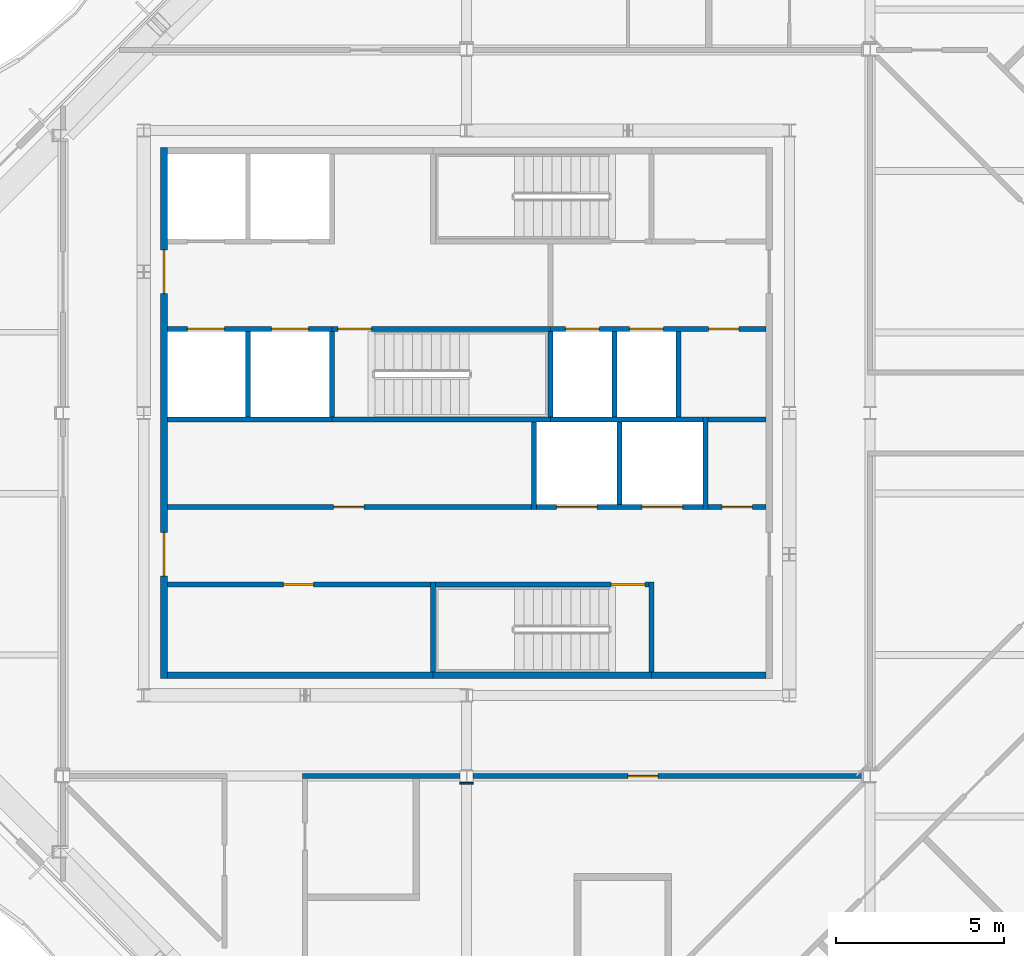
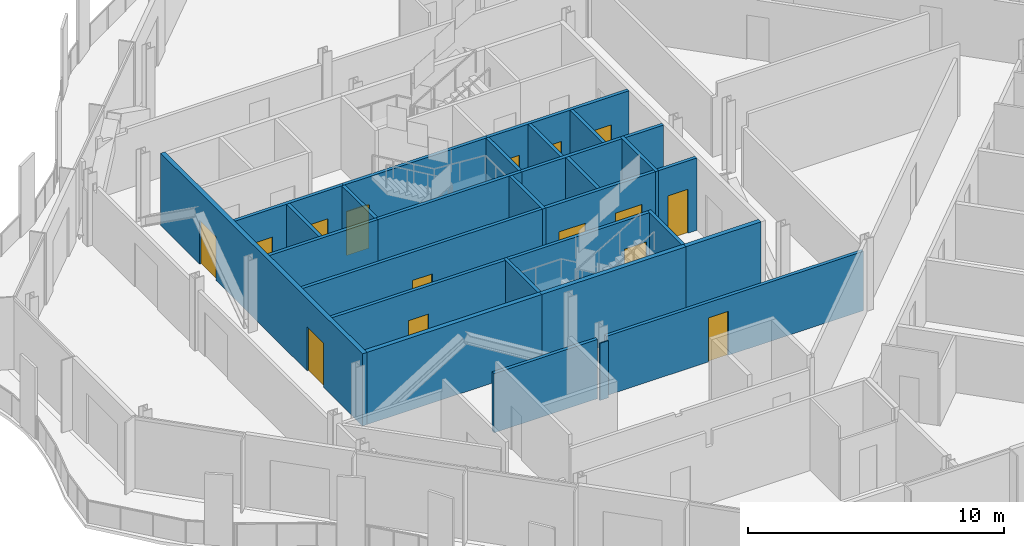
# One storey, part 8 of 17: 29 walls, 15 doors, 15 openings.
"""IFC4 building model written with IfcOpenShell, lengths in metres."""

from ifc_helpers import new_model, si_unit, direction, frame, frame_2d, origin, place, context, subcontext, project, spatial, rectangle, extrude, material, layer, layer_set, type_object, element, fill, save


model = new_model("IFC4")

# Units and contexts
model_context = context("Model", 3, precision=1e-05, world=origin(), true_north=direction((0.0, 1.0)))
body_context = subcontext(model_context, "Body", "Model", "MODEL_VIEW")
ifc_project = project(units=[si_unit("LENGTHUNIT", "METRE"), si_unit("AREAUNIT", "SQUARE_METRE"), si_unit("VOLUMEUNIT", "CUBIC_METRE"), si_unit("PLANEANGLEUNIT", "RADIAN"), si_unit("MASSUNIT", "GRAM", prefix="KILO")], contexts=[model_context])

# Site, building, storey
site_placement = place(None, origin())
site = spatial("IfcSite", under=ifc_project, at=site_placement, CompositionType="ELEMENT")
building_placement = place(site_placement, origin())
building = spatial("IfcBuilding", under=site, at=building_placement, Name="Cairn Pilgrim Tower", CompositionType="ELEMENT")
storey_placement = place(building_placement, frame((0.0, 0.0, 281.39990234375)))
storey = spatial("IfcBuildingStorey", under=building, at=storey_placement, Name="L72", CompositionType="ELEMENT", Elevation=281.39990234375)

# Walls
ifc_material_1 = material(Name="Concrete C32/40", Category="concrete")
ifc_layer_1 = layer(ifc_material_1, 0.199951171875)
ifc_layer_set_1 = layer_set([ifc_layer_1], Name="CORE OUTER WALL 200 EI 120")
wall_type_1 = type_object("IfcWallType", Name="CORE OUTER WALL 200 EI 120", PredefinedType="SOLIDWALL", material=ifc_layer_set_1)
wall_1_placement = place(storey_placement, frame((-1.699951171875, -5.39990234375, 0.0), z_axis=(0.0, 0.0, 1.0), x_axis=(1.0, 0.0, 0.0)))
element("IfcWall", 1, at=wall_1_placement, inside=storey, type_object=wall_type_1, Name="CW:L72:H01-1", PredefinedType="SOLIDWALL", context=body_context, shape_type="SweptSolid", body=[
    extrude(rectangle(XDim=7.89990234375, YDim=0.199951171875, at=frame_2d((3.949951171875, 0.0))), origin(), (0.0, 0.0, 1.0), 3.4501953125),
])
wall_2_placement = place(storey_placement, frame((12.699951171875, -5.39990234375, 0.0), z_axis=(0.0, 0.0, 1.0), x_axis=(1.0, 0.0, 0.0)))
element("IfcWall", 2, at=wall_2_placement, inside=storey, type_object=wall_type_1, Name="CW:L72:H01-3", PredefinedType="SOLIDWALL", context=body_context, shape_type="SweptSolid", body=[
    extrude(rectangle(XDim=3.400146484375, YDim=0.199951171875, at=frame_2d((1.7001953125, 0.0))), origin(), (0.0, 0.0, 1.0), 3.4501953125),
])

# Wall, openings, doors
wall_3_placement = place(storey_placement, frame((-1.800048828125, -5.5, 0.0), z_axis=(0.0, 0.0, 1.0), x_axis=(0.0, 1.0, 0.0)))
wall_3 = element("IfcWall", 3, at=wall_3_placement, inside=storey, type_object=wall_type_1, Name="CW:L72:V13", PredefinedType="SOLIDWALL", context=body_context, shape_type="SweptSolid", body=[
    extrude(rectangle(XDim=15.800048828125, YDim=0.199951171875, at=frame_2d((7.89990234375, 0.0))), origin(), (0.0, 0.0, 1.0), 3.4501953125),
])
opening_1_placement = place(wall_3_placement, frame((3.050048828125, 0.0, 0.0)))
opening_1 = element("IfcOpeningElement", 4, at=opening_1_placement, cuts=wall_3, Name="Opening CD-W1", PredefinedType="OPENING", context=body_context, shape_type="SweptSolid", body=[
    extrude(rectangle(XDim=1.300048828125, YDim=2.10009765625, at=frame_2d((0.64990234375, 1.050048828125))), frame((0.0, 0.10986328125, 0.0), z_axis=(0.0, -1.0, 0.0), x_axis=(1.0, 0.0, 0.0)), (0.0, 0.0, 1.0), 0.219970703125),
])
opening_2_placement = place(wall_3_placement, frame((11.449951171875, 0.0, 0.0)))
opening_2 = element("IfcOpeningElement", 5, at=opening_2_placement, cuts=wall_3, Name="Opening CD-W2", PredefinedType="OPENING", context=body_context, shape_type="SweptSolid", body=[
    extrude(rectangle(XDim=1.300048828125, YDim=2.10009765625, at=frame_2d((0.64990234375, 1.050048828125))), frame((0.0, 0.10986328125, 0.0), z_axis=(0.0, -1.0, 0.0), x_axis=(1.0, 0.0, 0.0)), (0.0, 0.0, 1.0), 0.219970703125),
])
ifc_material_2 = material(Name="Painted steel", Category="steel")
door_type_1 = type_object("IfcDoorType", Name="CORE LOBBY DOOR 1300x2100", OperationType="DOUBLE_DOOR_SINGLE_SWING", PredefinedType="DOOR", material=ifc_material_2)
door_1_placement = place(opening_1_placement, origin())
door_1 = element("IfcDoor", 6, at=door_1_placement, inside=storey, type_object=door_type_1, Name="CD-W1", OperationType="DOUBLE_DOOR_SINGLE_SWING", OverallHeight=2.10009765625, OverallWidth=1.300048828125, PredefinedType="DOOR", context=body_context, shape_type="SweptSolid", body=[
    extrude(rectangle(XDim=1.300048828125, YDim=2.10009765625, at=frame_2d((0.64990234375, 1.050048828125))), frame((0.0, 0.02490234375, 0.0), z_axis=(0.0, -1.0, 0.0), x_axis=(1.0, 0.0, 0.0)), (0.0, 0.0, 1.0), 0.050048828125),
])
fill(opening_1, door_1)
door_2_placement = place(opening_2_placement, origin())
door_2 = element("IfcDoor", 7, at=door_2_placement, inside=storey, type_object=door_type_1, Name="CD-W2", OperationType="DOUBLE_DOOR_SINGLE_SWING", OverallHeight=2.10009765625, OverallWidth=1.300048828125, PredefinedType="DOOR", context=body_context, shape_type="SweptSolid", body=[
    extrude(rectangle(XDim=1.300048828125, YDim=2.10009765625, at=frame_2d((0.64990234375, 1.050048828125))), frame((0.0, 0.02490234375, 0.0), z_axis=(0.0, -1.0, 0.0), x_axis=(1.0, 0.0, 0.0)), (0.0, 0.0, 1.0), 0.050048828125),
])
fill(opening_2, door_2)

# Wall, opening, door
ifc_layer_2 = layer(ifc_material_1, 0.14990234375)
ifc_layer_set_2 = layer_set([ifc_layer_2], Name="CORE PARTITION 150 EI 60")
wall_type_2 = type_object("IfcWallType", Name="CORE PARTITION 150 EI 60", PredefinedType="PARTITIONING", material=ifc_layer_set_2)
wall_4_placement = place(storey_placement, frame((-1.699951171875, -2.699951171875, 0.0), z_axis=(0.0, 0.0, 1.0), x_axis=(1.0, 0.0, 0.0)))
wall_4 = element("IfcWall", 8, at=wall_4_placement, inside=storey, type_object=wall_type_2, Name="CW:L72:H02", PredefinedType="PARTITIONING", context=body_context, shape_type="SweptSolid", body=[
    extrude(rectangle(XDim=7.824951171875, YDim=0.14990234375, at=frame_2d((3.91259765625, 0.0))), origin(), (0.0, 0.0, 1.0), 3.4501953125),
])
opening_3_placement = place(wall_4_placement, frame((3.449951171875, 0.0, 0.0)))
opening_3 = element("IfcOpeningElement", 9, at=opening_3_placement, cuts=wall_4, Name="Opening RD-R1W1", PredefinedType="OPENING", context=body_context, shape_type="SweptSolid", body=[
    extrude(rectangle(XDim=0.89990234375, YDim=2.10009765625, at=frame_2d((0.449951171875, 1.050048828125))), frame((0.0, 0.0849609375, 0.0), z_axis=(0.0, -1.0, 0.0), x_axis=(1.0, 0.0, 0.0)), (0.0, 0.0, 1.0), 0.169921875),
])
door_type_2 = type_object("IfcDoorType", Name="SERVICE ROOM DOOR 900x2100", OperationType="SINGLE_SWING_LEFT", PredefinedType="DOOR", material=ifc_material_2)
door_3_placement = place(opening_3_placement, origin())
door_3 = element("IfcDoor", 10, at=door_3_placement, inside=storey, type_object=door_type_2, Name="RD-R1W1", OperationType="SINGLE_SWING_LEFT", OverallHeight=2.10009765625, OverallWidth=0.89990234375, PredefinedType="DOOR", context=body_context, shape_type="SweptSolid", body=[
    extrude(rectangle(XDim=0.89990234375, YDim=2.10009765625, at=frame_2d((0.449951171875, 1.050048828125))), frame((0.0, 0.02490234375, 0.0), z_axis=(0.0, -1.0, 0.0), x_axis=(1.0, 0.0, 0.0)), (0.0, 0.0, 1.0), 0.050048828125),
])
fill(opening_3, door_3)

wall_5_placement = place(storey_placement, frame((-1.699951171875, -0.39990234375, 0.0), z_axis=(0.0, 0.0, 1.0), x_axis=(1.0, 0.0, 0.0)))
wall_5 = element("IfcWall", 11, at=wall_5_placement, inside=storey, type_object=wall_type_2, Name="CW:L72:H04", PredefinedType="PARTITIONING", context=body_context, shape_type="SweptSolid", body=[
    extrude(rectangle(XDim=10.824951171875, YDim=0.14990234375, at=frame_2d((5.41259765625, 0.0))), origin(), (0.0, 0.0, 1.0), 3.4501953125),
])
opening_4_placement = place(wall_5_placement, frame((4.949951171875, 0.0, 0.0)))
opening_4 = element("IfcOpeningElement", 12, at=opening_4_placement, cuts=wall_5, Name="Opening RD-R2W1", PredefinedType="OPENING", context=body_context, shape_type="SweptSolid", body=[
    extrude(rectangle(XDim=0.89990234375, YDim=2.10009765625, at=frame_2d((0.449951171875, 1.050048828125))), frame((0.0, 0.0849609375, 0.0), z_axis=(0.0, -1.0, 0.0), x_axis=(1.0, 0.0, 0.0)), (0.0, 0.0, 1.0), 0.169921875),
])
door_4_placement = place(opening_4_placement, origin())
door_4 = element("IfcDoor", 13, at=door_4_placement, inside=storey, type_object=door_type_2, Name="RD-R2W1", OperationType="SINGLE_SWING_RIGHT", OverallHeight=2.10009765625, OverallWidth=0.89990234375, PredefinedType="DOOR", context=body_context, shape_type="SweptSolid", body=[
    extrude(rectangle(XDim=0.89990234375, YDim=2.10009765625, at=frame_2d((0.449951171875, 1.050048828125))), frame((0.0, 0.02490234375, 0.0), z_axis=(0.0, -1.0, 0.0), x_axis=(1.0, 0.0, 0.0)), (0.0, 0.0, 1.0), 0.050048828125),
])
fill(opening_4, door_4)

wall_6_placement = place(storey_placement, frame((14.375, -0.39990234375, 0.0), z_axis=(0.0, 0.0, 1.0), x_axis=(1.0, 0.0, 0.0)))
wall_6 = element("IfcWall", 14, at=wall_6_placement, inside=storey, type_object=wall_type_2, Name="CW:L72:H06", PredefinedType="PARTITIONING", context=body_context, shape_type="SweptSolid", body=[
    extrude(rectangle(XDim=1.72509765625, YDim=0.14990234375, at=frame_2d((0.862548828125, 0.0))), origin(), (0.0, 0.0, 1.0), 3.4501953125),
])
opening_5_placement = place(wall_6_placement, frame((0.425048828125, 0.0, 0.0)))
opening_5 = element("IfcOpeningElement", 15, at=opening_5_placement, cuts=wall_6, Name="Opening RD-R2E", PredefinedType="OPENING", context=body_context, shape_type="SweptSolid", body=[
    extrude(rectangle(XDim=0.89990234375, YDim=2.10009765625, at=frame_2d((0.449951171875, 1.050048828125))), frame((0.0, 0.0849609375, 0.0), z_axis=(0.0, -1.0, 0.0), x_axis=(1.0, 0.0, 0.0)), (0.0, 0.0, 1.0), 0.169921875),
])
door_5_placement = place(opening_5_placement, origin())
door_5 = element("IfcDoor", 16, at=door_5_placement, inside=storey, type_object=door_type_2, Name="RD-R2E", OperationType="SINGLE_SWING_RIGHT", OverallHeight=2.10009765625, OverallWidth=0.89990234375, PredefinedType="DOOR", context=body_context, shape_type="SweptSolid", body=[
    extrude(rectangle(XDim=0.89990234375, YDim=2.10009765625, at=frame_2d((0.449951171875, 1.050048828125))), frame((0.0, 0.02490234375, 0.0), z_axis=(0.0, -1.0, 0.0), x_axis=(1.0, 0.0, 0.0)), (0.0, 0.0, 1.0), 0.050048828125),
])
fill(opening_5, door_5)

# Wall
wall_7_placement = place(storey_placement, frame((14.375, 2.199951171875, 0.0), z_axis=(0.0, 0.0, 1.0), x_axis=(1.0, 0.0, 0.0)))
element("IfcWall", 17, at=wall_7_placement, inside=storey, type_object=wall_type_2, Name="CW:L72:H08", PredefinedType="PARTITIONING", context=body_context, shape_type="SweptSolid", body=[
    extrude(rectangle(XDim=1.72509765625, YDim=0.14990234375, at=frame_2d((0.862548828125, 0.0))), origin(), (0.0, 0.0, 1.0), 3.4501953125),
])

# Wall, openings, doors
ifc_layer_3 = layer(ifc_material_1, 0.14990234375)
ifc_layer_set_3 = layer_set([ifc_layer_3], Name="CORE SHAFT WALL 150 EI 120")
wall_type_3 = type_object("IfcWallType", Name="CORE SHAFT WALL 150 EI 120", PredefinedType="SOLIDWALL", material=ifc_layer_set_3)
wall_8_placement = place(storey_placement, frame((9.27490234375, -0.39990234375, 0.0), z_axis=(0.0, 0.0, 1.0), x_axis=(1.0, 0.0, 0.0)))
wall_8 = element("IfcWall", 18, at=wall_8_placement, inside=storey, type_object=wall_type_3, Name="CW:L72:H05", PredefinedType="SOLIDWALL", context=body_context, shape_type="SweptSolid", body=[
    extrude(rectangle(XDim=4.9501953125, YDim=0.14990234375, at=frame_2d((2.47509765625, 0.0))), origin(), (0.0, 0.0, 1.0), 3.4501953125),
])
opening_6_placement = place(wall_8_placement, frame((0.60009765625, 0.0, 0.0)))
opening_6 = element("IfcOpeningElement", 19, at=opening_6_placement, cuts=wall_8, Name="Opening LD-SV1", PredefinedType="OPENING", context=body_context, shape_type="SweptSolid", body=[
    extrude(rectangle(XDim=1.199951171875, YDim=2.10009765625, at=frame_2d((0.60009765625, 1.050048828125))), frame((0.0, 0.0849609375, 0.0), z_axis=(0.0, -1.0, 0.0), x_axis=(1.0, 0.0, 0.0)), (0.0, 0.0, 1.0), 0.169921875),
])
opening_7_placement = place(wall_8_placement, frame((3.14990234375, 0.0, 0.0)))
opening_7 = element("IfcOpeningElement", 20, at=opening_7_placement, cuts=wall_8, Name="Opening LD-SV2", PredefinedType="OPENING", context=body_context, shape_type="SweptSolid", body=[
    extrude(rectangle(XDim=1.199951171875, YDim=2.10009765625, at=frame_2d((0.60009765625, 1.050048828125))), frame((0.0, 0.0849609375, 0.0), z_axis=(0.0, -1.0, 0.0), x_axis=(1.0, 0.0, 0.0)), (0.0, 0.0, 1.0), 0.169921875),
])
ifc_material_3 = material(Name="Stainless steel", Category="steel")
door_type_3 = type_object("IfcDoorType", Name="LIFT LANDING DOOR 1200x2100", OperationType="DOUBLE_DOOR_SLIDING", PredefinedType="DOOR", material=ifc_material_3)
door_6_placement = place(opening_6_placement, origin())
door_6 = element("IfcDoor", 21, at=door_6_placement, inside=storey, type_object=door_type_3, Name="LANDING DOOR SV1", OperationType="DOUBLE_DOOR_SLIDING", OverallHeight=2.10009765625, OverallWidth=1.199951171875, PredefinedType="DOOR", context=body_context, shape_type="SweptSolid", body=[
    extrude(rectangle(XDim=1.199951171875, YDim=2.10009765625, at=frame_2d((0.60009765625, 1.050048828125))), frame((0.0, 0.02490234375, 0.0), z_axis=(0.0, -1.0, 0.0), x_axis=(1.0, 0.0, 0.0)), (0.0, 0.0, 1.0), 0.050048828125),
])
fill(opening_6, door_6)
door_7_placement = place(opening_7_placement, origin())
door_7 = element("IfcDoor", 22, at=door_7_placement, inside=storey, type_object=door_type_3, Name="LANDING DOOR SV2", OperationType="DOUBLE_DOOR_SLIDING", OverallHeight=2.10009765625, OverallWidth=1.199951171875, PredefinedType="DOOR", context=body_context, shape_type="SweptSolid", body=[
    extrude(rectangle(XDim=1.199951171875, YDim=2.10009765625, at=frame_2d((0.60009765625, 1.050048828125))), frame((0.0, 0.02490234375, 0.0), z_axis=(0.0, -1.0, 0.0), x_axis=(1.0, 0.0, 0.0)), (0.0, 0.0, 1.0), 0.050048828125),
])
fill(opening_7, door_7)

# Walls
wall_9_placement = place(storey_placement, frame((-1.699951171875, 2.199951171875, 0.0), z_axis=(0.0, 0.0, 1.0), x_axis=(1.0, 0.0, 0.0)))
element("IfcWall", 23, at=wall_9_placement, inside=storey, type_object=wall_type_3, Name="CW:L72:H07-1", PredefinedType="SOLIDWALL", context=body_context, shape_type="SweptSolid", body=[
    extrude(rectangle(XDim=4.89990234375, YDim=0.14990234375, at=frame_2d((2.449951171875, 0.0))), origin(), (0.0, 0.0, 1.0), 3.4501953125),
])
wall_10_placement = place(storey_placement, frame((9.699951171875, 2.199951171875, 0.0), z_axis=(0.0, 0.0, 1.0), x_axis=(1.0, 0.0, 0.0)))
element("IfcWall", 24, at=wall_10_placement, inside=storey, type_object=wall_type_3, Name="CW:L72:H07-3", PredefinedType="SOLIDWALL", context=body_context, shape_type="SweptSolid", body=[
    extrude(rectangle(XDim=4.525146484375, YDim=0.14990234375, at=frame_2d((2.2626953125, 0.0))), origin(), (0.0, 0.0, 1.0), 3.4501953125),
])

# Wall, openings, doors
wall_11_placement = place(storey_placement, frame((-1.699951171875, 4.89990234375, 0.0), z_axis=(0.0, 0.0, 1.0), x_axis=(1.0, 0.0, 0.0)))
wall_11 = element("IfcWall", 25, at=wall_11_placement, inside=storey, type_object=wall_type_3, Name="CW:L72:H09-1", PredefinedType="SOLIDWALL", context=body_context, shape_type="SweptSolid", body=[
    extrude(rectangle(XDim=4.89990234375, YDim=0.14990234375, at=frame_2d((2.449951171875, 0.0))), origin(), (0.0, 0.0, 1.0), 3.4501953125),
])
opening_8_placement = place(wall_11_placement, frame((0.60009765625, 0.0, 0.0)))
opening_8 = element("IfcOpeningElement", 26, at=opening_8_placement, cuts=wall_11, Name="Opening LD-HR1", PredefinedType="OPENING", context=body_context, shape_type="SweptSolid", body=[
    extrude(rectangle(XDim=1.10009765625, YDim=2.10009765625, at=frame_2d((0.550048828125, 1.050048828125))), frame((0.0, 0.0849609375, 0.0), z_axis=(0.0, -1.0, 0.0), x_axis=(1.0, 0.0, 0.0)), (0.0, 0.0, 1.0), 0.169921875),
])
opening_9_placement = place(wall_11_placement, frame((3.10009765625, 0.0, 0.0)))
opening_9 = element("IfcOpeningElement", 27, at=opening_9_placement, cuts=wall_11, Name="Opening LD-HR2", PredefinedType="OPENING", context=body_context, shape_type="SweptSolid", body=[
    extrude(rectangle(XDim=1.10009765625, YDim=2.10009765625, at=frame_2d((0.550048828125, 1.050048828125))), frame((0.0, 0.0849609375, 0.0), z_axis=(0.0, -1.0, 0.0), x_axis=(1.0, 0.0, 0.0)), (0.0, 0.0, 1.0), 0.169921875),
])
door_type_4 = type_object("IfcDoorType", Name="LIFT LANDING DOOR 1100x2100", OperationType="DOUBLE_DOOR_SLIDING", PredefinedType="DOOR", material=ifc_material_3)
door_8_placement = place(opening_8_placement, origin())
door_8 = element("IfcDoor", 28, at=door_8_placement, inside=storey, type_object=door_type_4, Name="LANDING DOOR HR1", OperationType="DOUBLE_DOOR_SLIDING", OverallHeight=2.10009765625, OverallWidth=1.10009765625, PredefinedType="DOOR", context=body_context, shape_type="SweptSolid", body=[
    extrude(rectangle(XDim=1.10009765625, YDim=2.10009765625, at=frame_2d((0.550048828125, 1.050048828125))), frame((0.0, 0.02490234375, 0.0), z_axis=(0.0, -1.0, 0.0), x_axis=(1.0, 0.0, 0.0)), (0.0, 0.0, 1.0), 0.050048828125),
])
fill(opening_8, door_8)
door_9_placement = place(opening_9_placement, origin())
door_9 = element("IfcDoor", 29, at=door_9_placement, inside=storey, type_object=door_type_4, Name="LANDING DOOR HR2", OperationType="DOUBLE_DOOR_SLIDING", OverallHeight=2.10009765625, OverallWidth=1.10009765625, PredefinedType="DOOR", context=body_context, shape_type="SweptSolid", body=[
    extrude(rectangle(XDim=1.10009765625, YDim=2.10009765625, at=frame_2d((0.550048828125, 1.050048828125))), frame((0.0, 0.02490234375, 0.0), z_axis=(0.0, -1.0, 0.0), x_axis=(1.0, 0.0, 0.0)), (0.0, 0.0, 1.0), 0.050048828125),
])
fill(opening_9, door_9)

wall_12_placement = place(storey_placement, frame((9.699951171875, 4.89990234375, 0.0), z_axis=(0.0, 0.0, 1.0), x_axis=(1.0, 0.0, 0.0)))
wall_12 = element("IfcWall", 30, at=wall_12_placement, inside=storey, type_object=wall_type_3, Name="CW:L72:H09-3", PredefinedType="SOLIDWALL", context=body_context, shape_type="SweptSolid", body=[
    extrude(rectangle(XDim=6.400146484375, YDim=0.14990234375, at=frame_2d((3.2001953125, 0.0))), origin(), (0.0, 0.0, 1.0), 3.4501953125),
])
opening_10_placement = place(wall_12_placement, frame((0.449951171875, 0.0, 0.0)))
opening_10 = element("IfcOpeningElement", 31, at=opening_10_placement, cuts=wall_12, Name="Opening LD-FF1", PredefinedType="OPENING", context=body_context, shape_type="SweptSolid", body=[
    extrude(rectangle(XDim=1.0, YDim=2.10009765625, at=frame_2d((0.5, 1.050048828125))), frame((0.0, 0.0849609375, 0.0), z_axis=(0.0, -1.0, 0.0), x_axis=(1.0, 0.0, 0.0)), (0.0, 0.0, 1.0), 0.169921875),
])
opening_11_placement = place(wall_12_placement, frame((2.35009765625, 0.0, 0.0)))
opening_11 = element("IfcOpeningElement", 32, at=opening_11_placement, cuts=wall_12, Name="Opening LD-FF2", PredefinedType="OPENING", context=body_context, shape_type="SweptSolid", body=[
    extrude(rectangle(XDim=1.0, YDim=2.10009765625, at=frame_2d((0.5, 1.050048828125))), frame((0.0, 0.0849609375, 0.0), z_axis=(0.0, -1.0, 0.0), x_axis=(1.0, 0.0, 0.0)), (0.0, 0.0, 1.0), 0.169921875),
])
opening_12_placement = place(wall_12_placement, frame((4.699951171875, 0.0, 0.0)))
opening_12 = element("IfcOpeningElement", 33, at=opening_12_placement, cuts=wall_12, Name="Opening RD-R3E", PredefinedType="OPENING", context=body_context, shape_type="SweptSolid", body=[
    extrude(rectangle(XDim=0.89990234375, YDim=2.10009765625, at=frame_2d((0.449951171875, 1.050048828125))), frame((0.0, 0.0849609375, 0.0), z_axis=(0.0, -1.0, 0.0), x_axis=(1.0, 0.0, 0.0)), (0.0, 0.0, 1.0), 0.169921875),
])
door_type_5 = type_object("IfcDoorType", Name="LIFT LANDING DOOR FIRE 1000x2100", OperationType="DOUBLE_DOOR_SLIDING", PredefinedType="DOOR", material=ifc_material_3)
door_10_placement = place(opening_10_placement, origin())
door_10 = element("IfcDoor", 34, at=door_10_placement, inside=storey, type_object=door_type_5, Name="LANDING DOOR FF1", OperationType="DOUBLE_DOOR_SLIDING", OverallHeight=2.10009765625, OverallWidth=1.0, PredefinedType="DOOR", context=body_context, shape_type="SweptSolid", body=[
    extrude(rectangle(XDim=1.0, YDim=2.10009765625, at=frame_2d((0.5, 1.050048828125))), frame((0.0, 0.02490234375, 0.0), z_axis=(0.0, -1.0, 0.0), x_axis=(1.0, 0.0, 0.0)), (0.0, 0.0, 1.0), 0.050048828125),
])
fill(opening_10, door_10)
door_11_placement = place(opening_11_placement, origin())
door_11 = element("IfcDoor", 35, at=door_11_placement, inside=storey, type_object=door_type_5, Name="LANDING DOOR FF2", OperationType="DOUBLE_DOOR_SLIDING", OverallHeight=2.10009765625, OverallWidth=1.0, PredefinedType="DOOR", context=body_context, shape_type="SweptSolid", body=[
    extrude(rectangle(XDim=1.0, YDim=2.10009765625, at=frame_2d((0.5, 1.050048828125))), frame((0.0, 0.02490234375, 0.0), z_axis=(0.0, -1.0, 0.0), x_axis=(1.0, 0.0, 0.0)), (0.0, 0.0, 1.0), 0.050048828125),
])
fill(opening_11, door_11)
door_12_placement = place(opening_12_placement, origin())
door_12 = element("IfcDoor", 36, at=door_12_placement, inside=storey, type_object=door_type_2, Name="RD-R3E", OperationType="SINGLE_SWING_LEFT", OverallHeight=2.10009765625, OverallWidth=0.89990234375, PredefinedType="DOOR", context=body_context, shape_type="SweptSolid", body=[
    extrude(rectangle(XDim=0.89990234375, YDim=2.10009765625, at=frame_2d((0.449951171875, 1.050048828125))), frame((0.0, 0.02490234375, 0.0), z_axis=(0.0, -1.0, 0.0), x_axis=(1.0, 0.0, 0.0)), (0.0, 0.0, 1.0), 0.050048828125),
])
fill(opening_12, door_12)

# Walls
wall_13_placement = place(storey_placement, frame((0.699951171875, 2.27490234375, 0.0), z_axis=(0.0, 0.0, 1.0), x_axis=(0.0, 1.0, 0.0)))
element("IfcWall", 37, at=wall_13_placement, inside=storey, type_object=wall_type_3, Name="CW:L72:V14", PredefinedType="SOLIDWALL", context=body_context, shape_type="SweptSolid", body=[
    extrude(rectangle(XDim=2.550048828125, YDim=0.14990234375, at=frame_2d((1.27490234375, 0.0))), origin(), (0.0, 0.0, 1.0), 3.4501953125),
])
wall_14_placement = place(storey_placement, frame((9.199951171875, -0.47509765625, 0.0), z_axis=(0.0, 0.0, 1.0), x_axis=(0.0, 1.0, 0.0)))
element("IfcWall", 38, at=wall_14_placement, inside=storey, type_object=wall_type_3, Name="CW:L72:V20", PredefinedType="SOLIDWALL", context=body_context, shape_type="SweptSolid", body=[
    extrude(rectangle(XDim=2.60009765625, YDim=0.14990234375, at=frame_2d((1.300048828125, 0.0))), origin(), (0.0, 0.0, 1.0), 3.4501953125),
])
wall_15_placement = place(storey_placement, frame((11.60009765625, 2.27490234375, 0.0), z_axis=(0.0, 0.0, 1.0), x_axis=(0.0, 1.0, 0.0)))
element("IfcWall", 39, at=wall_15_placement, inside=storey, type_object=wall_type_3, Name="CW:L72:V23", PredefinedType="SOLIDWALL", context=body_context, shape_type="SweptSolid", body=[
    extrude(rectangle(XDim=2.550048828125, YDim=0.14990234375, at=frame_2d((1.27490234375, 0.0))), origin(), (0.0, 0.0, 1.0), 3.4501953125),
])
wall_16_placement = place(storey_placement, frame((11.75, -0.324951171875, 0.0), z_axis=(0.0, 0.0, 1.0), x_axis=(0.0, 1.0, 0.0)))
element("IfcWall", 40, at=wall_16_placement, inside=storey, type_object=wall_type_3, Name="CW:L72:V24", PredefinedType="SOLIDWALL", context=body_context, shape_type="SweptSolid", body=[
    extrude(rectangle(XDim=2.449951171875, YDim=0.14990234375, at=frame_2d((1.22509765625, 0.0))), origin(), (0.0, 0.0, 1.0), 3.4501953125),
])
wall_17_placement = place(storey_placement, frame((13.5, 2.27490234375, 0.0), z_axis=(0.0, 0.0, 1.0), x_axis=(0.0, 1.0, 0.0)))
element("IfcWall", 41, at=wall_17_placement, inside=storey, type_object=wall_type_3, Name="CW:L72:V27", PredefinedType="SOLIDWALL", context=body_context, shape_type="SweptSolid", body=[
    extrude(rectangle(XDim=2.550048828125, YDim=0.14990234375, at=frame_2d((1.27490234375, 0.0))), origin(), (0.0, 0.0, 1.0), 3.4501953125),
])
wall_18_placement = place(storey_placement, frame((14.300048828125, -0.47509765625, 0.0), z_axis=(0.0, 0.0, 1.0), x_axis=(0.0, 1.0, 0.0)))
element("IfcWall", 42, at=wall_18_placement, inside=storey, type_object=wall_type_3, Name="CW:L72:V28", PredefinedType="SOLIDWALL", context=body_context, shape_type="SweptSolid", body=[
    extrude(rectangle(XDim=2.75, YDim=0.14990234375, at=frame_2d((1.375, 0.0))), origin(), (0.0, 0.0, 1.0), 3.4501953125),
])
ifc_material_4 = material(Name="Gypsum partition")
ifc_layer_4 = layer(ifc_material_4, 0.14990234375)
ifc_layer_set_4 = layer_set([ifc_layer_4], Name="PARTITION 150 DRYWALL EI 60")
wall_type_4 = type_object("IfcWallType", Name="PARTITION 150 DRYWALL EI 60", PredefinedType="PARTITIONING", material=ifc_layer_set_4)
wall_19_placement = place(storey_placement, frame((2.324951171875, -8.39990234375, 0.0), z_axis=(0.0, 0.0, 1.0), x_axis=(1.0, 0.0, 0.0)))
element("IfcWall", 43, at=wall_19_placement, inside=storey, type_object=wall_type_4, Name="PARTITION W030", PredefinedType="PARTITIONING", context=body_context, shape_type="SweptSolid", body=[
    extrude(rectangle(XDim=4.677978515625, YDim=0.14990234375, at=frame_2d((2.3388671875, 0.0))), origin(), (0.0, 0.0, 1.0), 2.830078125),
])

# Wall, opening, door
wall_20_placement = place(storey_placement, frame((7.39697265625, -8.39990234375, 0.0), z_axis=(0.0, 0.0, 1.0), x_axis=(1.0, 0.0, 0.0)))
wall_20 = element("IfcWall", 44, at=wall_20_placement, inside=storey, type_object=wall_type_4, Name="PARTITION W031", PredefinedType="PARTITIONING", context=body_context, shape_type="SweptSolid", body=[
    extrude(rectangle(XDim=11.60595703125, YDim=0.14990234375, at=frame_2d((5.802978515625, 0.0))), origin(), (0.0, 0.0, 1.0), 2.830078125),
])
opening_13_placement = place(wall_20_placement, frame((4.60302734375, 0.0, 0.0)))
opening_13 = element("IfcOpeningElement", 45, at=opening_13_placement, cuts=wall_20, Name="Opening 7218", PredefinedType="OPENING", context=body_context, shape_type="SweptSolid", body=[
    extrude(rectangle(XDim=0.89990234375, YDim=2.10009765625, at=frame_2d((0.449951171875, 1.050048828125))), frame((0.0, 0.0849609375, 0.0), z_axis=(0.0, -1.0, 0.0), x_axis=(1.0, 0.0, 0.0)), (0.0, 0.0, 1.0), 0.169921875),
])
ifc_material_5 = material(Name="Timber door leaf", Category="wood")
door_type_6 = type_object("IfcDoorType", Name="SERVICE DOOR 900x2100 FD30S", OperationType="NOTDEFINED", PredefinedType="DOOR", material=ifc_material_5)
door_13_placement = place(opening_13_placement, frame((0.89990234375, 0.0, 0.0), z_axis=(0.0, 0.0, 1.0), x_axis=(-1.0, 0.0, 0.0)))
door_13 = element("IfcDoor", 46, at=door_13_placement, inside=storey, type_object=door_type_6, Name="DOOR 7218", OperationType="SINGLE_SWING_RIGHT", OverallHeight=2.10009765625, OverallWidth=0.89990234375, PredefinedType="DOOR", context=body_context, shape_type="SweptSolid", body=[
    extrude(rectangle(XDim=0.89990234375, YDim=2.10009765625, at=frame_2d((0.449951171875, 1.050048828125))), frame((0.0, 0.02490234375, 0.0), z_axis=(0.0, -1.0, 0.0), x_axis=(1.0, 0.0, 0.0)), (0.0, 0.0, 1.0), 0.050048828125),
])
fill(opening_13, door_13)

# Wall
ifc_layer_5 = layer(ifc_material_4, 0.050048828125)
ifc_layer_set_5 = layer_set([ifc_layer_5], Name="PARTITION 50 DRYWALL EI 60")
wall_type_5 = type_object("IfcWallType", Name="PARTITION 50 DRYWALL EI 60", PredefinedType="PARTITIONING", material=ifc_layer_set_5)
wall_21_placement = place(storey_placement, frame((7.0029296875, -8.612548828125, 0.0), z_axis=(0.0, 0.0, 1.0), x_axis=(1.0, 0.0, 0.0)))
element("IfcWall", 47, at=wall_21_placement, inside=storey, type_object=wall_type_5, Name="COLUMN CASING WC12", PredefinedType="PARTITIONING", context=body_context, shape_type="SweptSolid", body=[
    extrude(rectangle(XDim=0.39404296875, YDim=0.050048828125, at=frame_2d((0.197021484375, 0.0))), origin(), (0.0, 0.0, 1.0), 2.72998046875),
])

# Wall, opening, door
ifc_material_6 = material(Name="Concrete C35/45", Category="concrete")
ifc_layer_6 = layer(ifc_material_6, 0.14990234375)
ifc_layer_set_6 = layer_set([ifc_layer_6], Name="STAIR SHAFT WALL 150 EI 120")
wall_type_6 = type_object("IfcWallType", Name="STAIR SHAFT WALL 150 EI 120", PredefinedType="SOLIDWALL", material=ifc_layer_set_6)
wall_22_placement = place(storey_placement, frame((6.27490234375, -2.699951171875, 0.0), z_axis=(0.0, 0.0, 1.0), x_axis=(1.0, 0.0, 0.0)))
wall_22 = element("IfcWall", 48, at=wall_22_placement, inside=storey, type_object=wall_type_6, Name="CW:L72:H03", PredefinedType="SOLIDWALL", context=body_context, shape_type="SweptSolid", body=[
    extrude(rectangle(XDim=6.35009765625, YDim=0.14990234375, at=frame_2d((3.175048828125, 0.0))), origin(), (0.0, 0.0, 1.0), 3.4501953125),
])
opening_14_placement = place(wall_22_placement, frame((5.22509765625, 0.0, 0.0)))
opening_14 = element("IfcOpeningElement", 49, at=opening_14_placement, cuts=wall_22, Name="Opening SD-A", PredefinedType="OPENING", context=body_context, shape_type="SweptSolid", body=[
    extrude(rectangle(XDim=1.0, YDim=2.10009765625, at=frame_2d((0.5, 1.050048828125))), frame((0.0, 0.0849609375, 0.0), z_axis=(0.0, -1.0, 0.0), x_axis=(1.0, 0.0, 0.0)), (0.0, 0.0, 1.0), 0.169921875),
])
door_type_7 = type_object("IfcDoorType", Name="STAIR DOOR FD60S 1000x2100", OperationType="SINGLE_SWING_LEFT", PredefinedType="DOOR", material=ifc_material_2)
door_14_placement = place(opening_14_placement, origin())
door_14 = element("IfcDoor", 50, at=door_14_placement, inside=storey, type_object=door_type_7, Name="SD-A", OperationType="SINGLE_SWING_LEFT", OverallHeight=2.10009765625, OverallWidth=1.0, PredefinedType="DOOR", context=body_context, shape_type="SweptSolid", body=[
    extrude(rectangle(XDim=1.0, YDim=2.10009765625, at=frame_2d((0.5, 1.050048828125))), frame((0.0, 0.02490234375, 0.0), z_axis=(0.0, -1.0, 0.0), x_axis=(1.0, 0.0, 0.0)), (0.0, 0.0, 1.0), 0.050048828125),
])
fill(opening_14, door_14)

# Wall
wall_23_placement = place(storey_placement, frame((3.199951171875, 2.199951171875, 0.0), z_axis=(0.0, 0.0, 1.0), x_axis=(1.0, 0.0, 0.0)))
element("IfcWall", 51, at=wall_23_placement, inside=storey, type_object=wall_type_6, Name="CW:L72:H07-2", PredefinedType="SOLIDWALL", context=body_context, shape_type="SweptSolid", body=[
    extrude(rectangle(XDim=6.5, YDim=0.14990234375, at=frame_2d((3.25, 0.0))), origin(), (0.0, 0.0, 1.0), 3.4501953125),
])

# Wall, opening, door
wall_24_placement = place(storey_placement, frame((3.199951171875, 4.89990234375, 0.0), z_axis=(0.0, 0.0, 1.0), x_axis=(1.0, 0.0, 0.0)))
wall_24 = element("IfcWall", 52, at=wall_24_placement, inside=storey, type_object=wall_type_6, Name="CW:L72:H09-2", PredefinedType="SOLIDWALL", context=body_context, shape_type="SweptSolid", body=[
    extrude(rectangle(XDim=6.5, YDim=0.14990234375, at=frame_2d((3.25, 0.0))), origin(), (0.0, 0.0, 1.0), 3.4501953125),
])
opening_15_placement = place(wall_24_placement, frame((0.175048828125, 0.0, 0.0)))
opening_15 = element("IfcOpeningElement", 53, at=opening_15_placement, cuts=wall_24, Name="Opening SD-B", PredefinedType="OPENING", context=body_context, shape_type="SweptSolid", body=[
    extrude(rectangle(XDim=1.0, YDim=2.10009765625, at=frame_2d((0.5, 1.050048828125))), frame((0.0, 0.0849609375, 0.0), z_axis=(0.0, -1.0, 0.0), x_axis=(1.0, 0.0, 0.0)), (0.0, 0.0, 1.0), 0.169921875),
])
door_15_placement = place(opening_15_placement, origin())
door_15 = element("IfcDoor", 54, at=door_15_placement, inside=storey, type_object=door_type_7, Name="SD-B", OperationType="SINGLE_SWING_RIGHT", OverallHeight=2.10009765625, OverallWidth=1.0, PredefinedType="DOOR", context=body_context, shape_type="SweptSolid", body=[
    extrude(rectangle(XDim=1.0, YDim=2.10009765625, at=frame_2d((0.5, 1.050048828125))), frame((0.0, 0.02490234375, 0.0), z_axis=(0.0, -1.0, 0.0), x_axis=(1.0, 0.0, 0.0)), (0.0, 0.0, 1.0), 0.050048828125),
])
fill(opening_15, door_15)

# Walls
wall_25_placement = place(storey_placement, frame((3.199951171875, 2.27490234375, 0.0), z_axis=(0.0, 0.0, 1.0), x_axis=(0.0, 1.0, 0.0)))
element("IfcWall", 55, at=wall_25_placement, inside=storey, type_object=wall_type_6, Name="CW:L72:V16", PredefinedType="SOLIDWALL", context=body_context, shape_type="SweptSolid", body=[
    extrude(rectangle(XDim=2.550048828125, YDim=0.14990234375, at=frame_2d((1.27490234375, 0.0))), origin(), (0.0, 0.0, 1.0), 3.4501953125),
])
wall_26_placement = place(storey_placement, frame((6.199951171875, -5.300048828125, 0.0), z_axis=(0.0, 0.0, 1.0), x_axis=(0.0, 1.0, 0.0)))
element("IfcWall", 56, at=wall_26_placement, inside=storey, type_object=wall_type_6, Name="CW:L72:V18", PredefinedType="SOLIDWALL", context=body_context, shape_type="SweptSolid", body=[
    extrude(rectangle(XDim=2.675048828125, YDim=0.14990234375, at=frame_2d((1.33740234375, 0.0))), origin(), (0.0, 0.0, 1.0), 3.4501953125),
])
wall_27_placement = place(storey_placement, frame((9.699951171875, 2.27490234375, 0.0), z_axis=(0.0, 0.0, 1.0), x_axis=(0.0, 1.0, 0.0)))
element("IfcWall", 57, at=wall_27_placement, inside=storey, type_object=wall_type_6, Name="CW:L72:V21", PredefinedType="SOLIDWALL", context=body_context, shape_type="SweptSolid", body=[
    extrude(rectangle(XDim=2.550048828125, YDim=0.14990234375, at=frame_2d((1.27490234375, 0.0))), origin(), (0.0, 0.0, 1.0), 3.4501953125),
])
wall_28_placement = place(storey_placement, frame((12.699951171875, -5.300048828125, 0.0), z_axis=(0.0, 0.0, 1.0), x_axis=(0.0, 1.0, 0.0)))
element("IfcWall", 58, at=wall_28_placement, inside=storey, type_object=wall_type_6, Name="CW:L72:V25", PredefinedType="SOLIDWALL", context=body_context, shape_type="SweptSolid", body=[
    extrude(rectangle(XDim=2.675048828125, YDim=0.14990234375, at=frame_2d((1.33740234375, 0.0))), origin(), (0.0, 0.0, 1.0), 3.4501953125),
])
ifc_layer_7 = layer(ifc_material_6, 0.199951171875)
ifc_layer_set_7 = layer_set([ifc_layer_7], Name="STAIR SHAFT WALL 200 EI 120")
wall_type_7 = type_object("IfcWallType", Name="STAIR SHAFT WALL 200 EI 120", PredefinedType="SOLIDWALL", material=ifc_layer_set_7)
wall_29_placement = place(storey_placement, frame((6.199951171875, -5.39990234375, 0.0), z_axis=(0.0, 0.0, 1.0), x_axis=(1.0, 0.0, 0.0)))
element("IfcWall", 59, at=wall_29_placement, inside=storey, type_object=wall_type_7, Name="CW:L72:H01-2", PredefinedType="SOLIDWALL", context=body_context, shape_type="SweptSolid", body=[
    extrude(rectangle(XDim=6.5, YDim=0.199951171875, at=frame_2d((3.25, 0.0))), origin(), (0.0, 0.0, 1.0), 3.4501953125),
])

save(model, "model.ifc")
